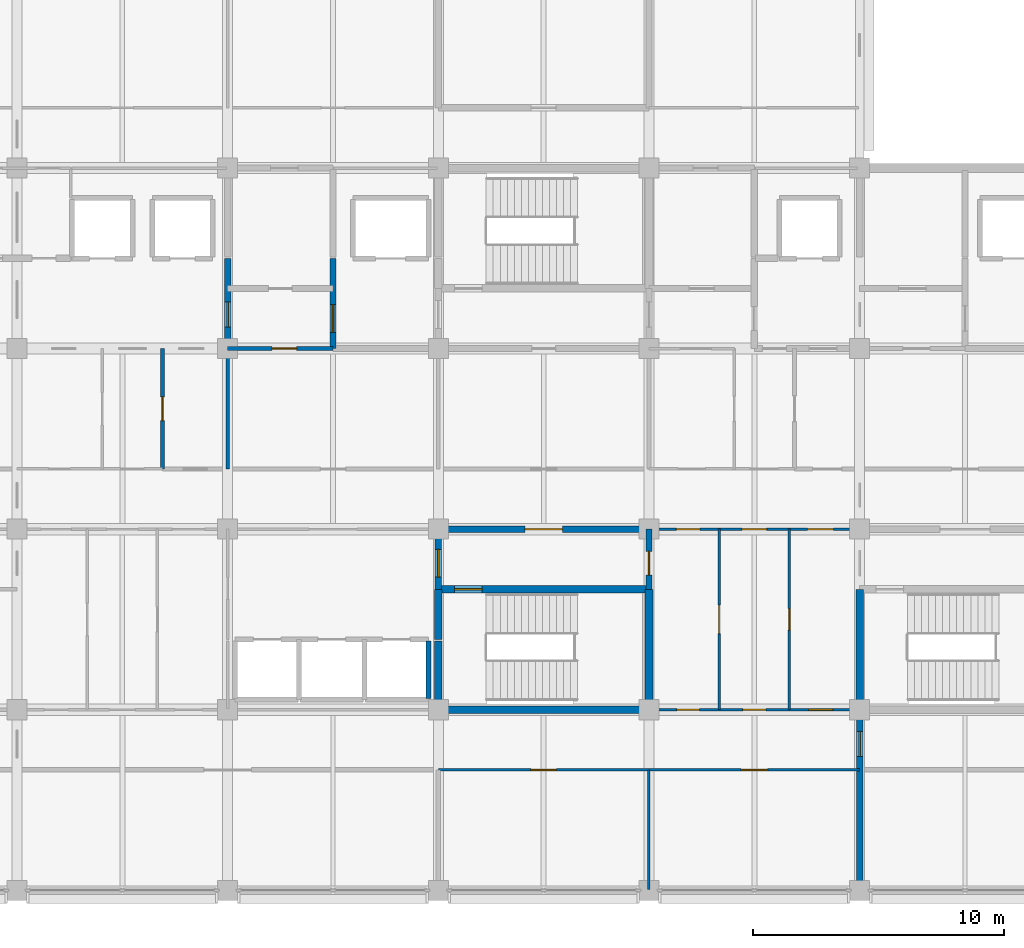
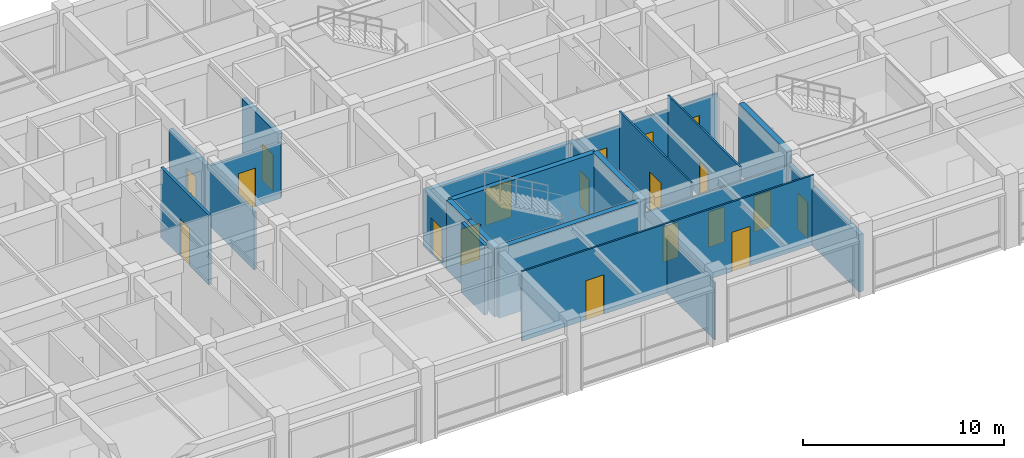
# One storey, part 22 of 30: 22 walls, 19 doors, 19 openings.
"""IFC4 building model written with IfcOpenShell, lengths in metres."""

from ifc_helpers import new_model, si_unit, direction, frame, frame_2d, origin, place, context, subcontext, project, spatial, rectangle, extrude, material, layer, layer_set, type_object, element, fill, save


model = new_model("IFC4")

# Units and contexts
model_context = context("Model", 3, precision=1e-05, world=origin(), true_north=direction((0.0, 1.0)))
body_context = subcontext(model_context, "Body", "Model", "MODEL_VIEW")
ifc_project = project(units=[si_unit("LENGTHUNIT", "METRE"), si_unit("AREAUNIT", "SQUARE_METRE"), si_unit("VOLUMEUNIT", "CUBIC_METRE"), si_unit("PLANEANGLEUNIT", "RADIAN"), si_unit("MASSUNIT", "GRAM", prefix="KILO")], contexts=[model_context])

# Site, building, storey
site_placement = place(None, origin())
site = spatial("IfcSite", under=ifc_project, at=site_placement, CompositionType="ELEMENT")
building_placement = place(site_placement, origin())
building = spatial("IfcBuilding", under=site, at=building_placement, Name="Chengyuan Square Courthouse", CompositionType="ELEMENT")
storey_placement = place(building_placement, frame((0.0, 0.0, 30.60009765625)))
storey = spatial("IfcBuildingStorey", under=building, at=storey_placement, Name="L07", CompositionType="ELEMENT", Elevation=30.60009765625)

# Wall, opening, door
ifc_material_1 = material(Name="Concrete C40", Category="concrete")
ifc_layer_1 = layer(ifc_material_1, 0.25)
ifc_layer_set_1 = layer_set([ifc_layer_1], Name="Concrete C40")
wall_type_1 = type_object("IfcWallType", Name="WL-FW1", PredefinedType="STANDARD", material=ifc_layer_set_1)
wall_1_placement = place(storey_placement, frame((100.800048828125, 93.60009765625, 0.0), z_axis=(0.0, 0.0, 1.0), x_axis=(1.0, 0.0, 0.0)))
wall_1 = element("IfcWall", 1, at=wall_1_placement, inside=storey, type_object=wall_type_1, Name="Interior Wall WL-L07-I2653", PredefinedType="STANDARD", context=body_context, shape_type="SweptSolid", body=[
    extrude(rectangle(XDim=8.39990234375, YDim=0.25, at=frame_2d((4.199951171875, 0.0))), origin(), (0.0, 0.0, 1.0), 3.389892578125),
])
opening_1_placement = place(wall_1_placement, frame((3.449951171875, 0.0, 0.0)))
opening_1 = element("IfcOpeningElement", 2, at=opening_1_placement, cuts=wall_1, Name="Opening DR-2319", PredefinedType="OPENING", context=body_context, shape_type="SweptSolid", body=[
    extrude(rectangle(XDim=1.5, YDim=2.25, at=frame_2d((0.75, 1.125))), frame((0.0, 0.136962890625, 0.0), z_axis=(0.0, -1.0, 0.0), x_axis=(1.0, 0.0, 0.0)), (0.0, 0.0, 1.0), 0.27392578125),
])
ifc_material_2 = material(Name="Steel Q235B Glazed Fire Door", Category="steel")
door_type_1 = type_object("IfcDoorType", Name="DT-19", OperationType="DOUBLE_DOOR_SINGLE_SWING", PredefinedType="DOOR", material=ifc_material_2)
door_1_placement = place(opening_1_placement, frame((1.5, 0.0, 0.0), z_axis=(0.0, 0.0, 1.0), x_axis=(-1.0, 0.0, 0.0)))
door_1 = element("IfcDoor", 3, at=door_1_placement, inside=storey, type_object=door_type_1, Name="Interior Door DR-2319", OperationType="DOUBLE_DOOR_SINGLE_SWING", OverallHeight=2.25, OverallWidth=1.5, PredefinedType="DOOR", context=body_context, shape_type="SweptSolid", body=[
    extrude(rectangle(XDim=1.5, YDim=2.25, at=frame_2d((0.75, 1.125))), frame((0.0, 0.02490234375, 0.0), z_axis=(0.0, -1.0, 0.0), x_axis=(1.0, 0.0, 0.0)), (0.0, 0.0, 1.0), 0.050048828125),
])
fill(opening_1, door_1)

wall_2_placement = place(storey_placement, frame((92.39990234375, 100.800048828125, 0.0), z_axis=(0.0, 0.0, 1.0), x_axis=(0.0, 1.0, 0.0)))
wall_2 = element("IfcWall", 4, at=wall_2_placement, inside=storey, type_object=wall_type_1, Name="Interior Wall WL-L07-I2817", PredefinedType="STANDARD", context=body_context, shape_type="SweptSolid", body=[
    extrude(rectangle(XDim=3.599853515625, YDim=0.25, at=frame_2d((1.7998046875, 0.0))), origin(), (0.0, 0.0, 1.0), 3.489990234375),
])
opening_2_placement = place(wall_2_placement, frame((0.860107421875, 0.0, 0.0)))
opening_2 = element("IfcOpeningElement", 5, at=opening_2_placement, cuts=wall_2, Name="Opening DR-2334", PredefinedType="OPENING", context=body_context, shape_type="SweptSolid", body=[
    extrude(rectangle(XDim=1.0, YDim=2.199951171875, at=frame_2d((0.5, 1.10009765625))), frame((0.0, 0.136962890625, 0.0), z_axis=(0.0, -1.0, 0.0), x_axis=(1.0, 0.0, 0.0)), (0.0, 0.0, 1.0), 0.27392578125),
])
ifc_material_3 = material(Name="Steel Q235B Fire Door", Category="steel")
door_type_2 = type_object("IfcDoorType", Name="DT-11", OperationType="NOTDEFINED", PredefinedType="DOOR", material=ifc_material_3)
door_2_placement = place(opening_2_placement, origin())
door_2 = element("IfcDoor", 6, at=door_2_placement, inside=storey, type_object=door_type_2, Name="Interior Door DR-2334", OperationType="SINGLE_SWING_LEFT", OverallHeight=2.199951171875, OverallWidth=1.0, PredefinedType="DOOR", context=body_context, shape_type="SweptSolid", body=[
    extrude(rectangle(XDim=1.0, YDim=2.199951171875, at=frame_2d((0.5, 1.10009765625))), frame((0.0, 0.02490234375, 0.0), z_axis=(0.0, -1.0, 0.0), x_axis=(1.0, 0.0, 0.0)), (0.0, 0.0, 1.0), 0.050048828125),
])
fill(opening_2, door_2)

wall_3_placement = place(storey_placement, frame((96.60009765625, 100.800048828125, 0.0), z_axis=(0.0, 0.0, 1.0), x_axis=(0.0, 1.0, 0.0)))
wall_3 = element("IfcWall", 7, at=wall_3_placement, inside=storey, type_object=wall_type_1, Name="Interior Wall WL-L07-I2822", PredefinedType="STANDARD", context=body_context, shape_type="SweptSolid", body=[
    extrude(rectangle(XDim=3.599853515625, YDim=0.25, at=frame_2d((1.7998046875, 0.0))), origin(), (0.0, 0.0, 1.0), 3.889892578125),
])
opening_3_placement = place(wall_3_placement, frame((0.64990234375, 0.0, 0.0)))
opening_3 = element("IfcOpeningElement", 8, at=opening_3_placement, cuts=wall_3, Name="Opening DR-2333", PredefinedType="OPENING", context=body_context, shape_type="SweptSolid", body=[
    extrude(rectangle(XDim=1.10009765625, YDim=2.199951171875, at=frame_2d((0.550048828125, 1.10009765625))), frame((0.0, 0.136962890625, 0.0), z_axis=(0.0, -1.0, 0.0), x_axis=(1.0, 0.0, 0.0)), (0.0, 0.0, 1.0), 0.27392578125),
])
door_type_3 = type_object("IfcDoorType", Name="DT-10", OperationType="NOTDEFINED", PredefinedType="DOOR", material=ifc_material_3)
door_3_placement = place(opening_3_placement, origin())
door_3 = element("IfcDoor", 9, at=door_3_placement, inside=storey, type_object=door_type_3, Name="Interior Door DR-2333", OperationType="SINGLE_SWING_RIGHT", OverallHeight=2.199951171875, OverallWidth=1.10009765625, PredefinedType="DOOR", context=body_context, shape_type="SweptSolid", body=[
    extrude(rectangle(XDim=1.10009765625, YDim=2.199951171875, at=frame_2d((0.550048828125, 1.10009765625))), frame((0.0, 0.02490234375, 0.0), z_axis=(0.0, -1.0, 0.0), x_axis=(1.0, 0.0, 0.0)), (0.0, 0.0, 1.0), 0.050048828125),
])
fill(opening_3, door_3)

wall_4_placement = place(storey_placement, frame((100.800048828125, 91.199951171875, 0.0), z_axis=(0.0, 0.0, 1.0), x_axis=(0.0, 1.0, 0.0)))
wall_4 = element("IfcWall", 10, at=wall_4_placement, inside=storey, type_object=wall_type_1, Name="Interior Wall WL-L07-I2831", PredefinedType="STANDARD", context=body_context, shape_type="SweptSolid", body=[
    extrude(rectangle(XDim=2.400146484375, YDim=0.25, at=frame_2d((1.2001953125, 0.0))), origin(), (0.0, 0.0, 1.0), 3.489990234375),
])
opening_4_placement = place(wall_4_placement, frame((0.489990234375, 0.0, 0.0)))
opening_4 = element("IfcOpeningElement", 11, at=opening_4_placement, cuts=wall_4, Name="Opening DR-2318", PredefinedType="OPENING", context=body_context, shape_type="SweptSolid", body=[
    extrude(rectangle(XDim=1.10009765625, YDim=2.199951171875, at=frame_2d((0.550048828125, 1.10009765625))), frame((0.0, 0.136962890625, 0.0), z_axis=(0.0, -1.0, 0.0), x_axis=(1.0, 0.0, 0.0)), (0.0, 0.0, 1.0), 0.27392578125),
])
door_4_placement = place(opening_4_placement, origin())
door_4 = element("IfcDoor", 12, at=door_4_placement, inside=storey, type_object=door_type_3, Name="Interior Door DR-2318", OperationType="SINGLE_SWING_RIGHT", OverallHeight=2.199951171875, OverallWidth=1.10009765625, PredefinedType="DOOR", context=body_context, shape_type="SweptSolid", body=[
    extrude(rectangle(XDim=1.10009765625, YDim=2.199951171875, at=frame_2d((0.550048828125, 1.10009765625))), frame((0.0, 0.02490234375, 0.0), z_axis=(0.0, -1.0, 0.0), x_axis=(1.0, 0.0, 0.0)), (0.0, 0.0, 1.0), 0.050048828125),
])
fill(opening_4, door_4)

wall_5_placement = place(storey_placement, frame((109.199951171875, 91.199951171875, 0.0), z_axis=(0.0, 0.0, 1.0), x_axis=(0.0, 1.0, 0.0)))
wall_5 = element("IfcWall", 13, at=wall_5_placement, inside=storey, type_object=wall_type_1, Name="Interior Wall WL-L07-I2839", PredefinedType="STANDARD", context=body_context, shape_type="SweptSolid", body=[
    extrude(rectangle(XDim=2.400146484375, YDim=0.25, at=frame_2d((1.2001953125, 0.0))), origin(), (0.0, 0.0, 1.0), 3.489990234375),
])
opening_5_placement = place(wall_5_placement, frame((0.56494140625, 0.0, 0.0)))
opening_5 = element("IfcOpeningElement", 14, at=opening_5_placement, cuts=wall_5, Name="Opening DR-2320", PredefinedType="OPENING", context=body_context, shape_type="SweptSolid", body=[
    extrude(rectangle(XDim=0.949951171875, YDim=2.14990234375, at=frame_2d((0.47509765625, 1.074951171875))), frame((0.0, 0.136962890625, 0.0), z_axis=(0.0, -1.0, 0.0), x_axis=(1.0, 0.0, 0.0)), (0.0, 0.0, 1.0), 0.27392578125),
])
door_type_4 = type_object("IfcDoorType", Name="DT-12", OperationType="NOTDEFINED", PredefinedType="DOOR", material=ifc_material_3)
door_5_placement = place(opening_5_placement, origin())
door_5 = element("IfcDoor", 15, at=door_5_placement, inside=storey, type_object=door_type_4, Name="Interior Door DR-2320", OperationType="SINGLE_SWING_LEFT", OverallHeight=2.14990234375, OverallWidth=0.949951171875, PredefinedType="DOOR", context=body_context, shape_type="SweptSolid", body=[
    extrude(rectangle(XDim=0.949951171875, YDim=2.14990234375, at=frame_2d((0.47509765625, 1.074951171875))), frame((0.0, 0.02490234375, 0.0), z_axis=(0.0, -1.0, 0.0), x_axis=(1.0, 0.0, 0.0)), (0.0, 0.0, 1.0), 0.050048828125),
])
fill(opening_5, door_5)

wall_6_placement = place(storey_placement, frame((117.60009765625, 79.239990234375, 0.0), z_axis=(0.0, 0.0, 1.0), x_axis=(0.0, 1.0, 0.0)))
wall_6 = element("IfcWall", 16, at=wall_6_placement, inside=storey, type_object=wall_type_1, Name="Interior Wall WL-L07-I2852", PredefinedType="STANDARD", context=body_context, shape_type="SweptSolid", body=[
    extrude(rectangle(XDim=7.159912109375, YDim=0.25, at=frame_2d((3.580078125, 0.0))), origin(), (0.0, 0.0, 1.0), 3.489990234375),
])
opening_6_placement = place(wall_6_placement, frame((5.300048828125, 0.0, 0.0)))
opening_6 = element("IfcOpeningElement", 17, at=opening_6_placement, cuts=wall_6, Name="Opening DR-2487", PredefinedType="OPENING", context=body_context, shape_type="SweptSolid", body=[
    extrude(rectangle(XDim=1.0, YDim=2.199951171875, at=frame_2d((0.5, 1.10009765625))), frame((0.0, 0.136962890625, 0.0), z_axis=(0.0, -1.0, 0.0), x_axis=(1.0, 0.0, 0.0)), (0.0, 0.0, 1.0), 0.27392578125),
])
door_6_placement = place(opening_6_placement, origin())
door_6 = element("IfcDoor", 18, at=door_6_placement, inside=storey, type_object=door_type_2, Name="Interior Door DR-2487", OperationType="SINGLE_SWING_RIGHT", OverallHeight=2.199951171875, OverallWidth=1.0, PredefinedType="DOOR", context=body_context, shape_type="SweptSolid", body=[
    extrude(rectangle(XDim=1.0, YDim=2.199951171875, at=frame_2d((0.5, 1.10009765625))), frame((0.0, 0.02490234375, 0.0), z_axis=(0.0, -1.0, 0.0), x_axis=(1.0, 0.0, 0.0)), (0.0, 0.0, 1.0), 0.050048828125),
])
fill(opening_6, door_6)

ifc_material_4 = material(Name="Deliberation Room Sound-Insulated Partition")
ifc_layer_2 = layer(ifc_material_4, 0.14990234375)
ifc_layer_set_2 = layer_set([ifc_layer_2], Name="Deliberation Room Sound-Insulated Partition")
wall_type_2 = type_object("IfcWallType", Name="WL-PT3", PredefinedType="STANDARD", material=ifc_layer_set_2)
wall_7_placement = place(storey_placement, frame((92.39990234375, 100.800048828125, 0.0), z_axis=(0.0, 0.0, 1.0), x_axis=(1.0, 0.0, 0.0)))
wall_7 = element("IfcWall", 19, at=wall_7_placement, inside=storey, type_object=wall_type_2, Name="Interior Wall WL-L07-I2677", PredefinedType="STANDARD", context=body_context, shape_type="SweptSolid", body=[
    extrude(rectangle(XDim=4.2001953125, YDim=0.14990234375, at=frame_2d((2.10009765625, 0.0))), origin(), (0.0, 0.0, 1.0), 3.389892578125),
])
opening_7_placement = place(wall_7_placement, frame((1.77001953125, 0.0, 0.0)))
opening_7 = element("IfcOpeningElement", 20, at=opening_7_placement, cuts=wall_7, Name="Opening DR-2335", PredefinedType="OPENING", context=body_context, shape_type="SweptSolid", body=[
    extrude(rectangle(XDim=0.97998046875, YDim=2.35009765625, at=frame_2d((0.489990234375, 1.175048828125))), frame((0.0, 0.0869140625, 0.0), z_axis=(0.0, -1.0, 0.0), x_axis=(1.0, 0.0, 0.0)), (0.0, 0.0, 1.0), 0.173828125),
])
ifc_material_5 = material(Name="Acoustic Solid-Core Timber Door", Category="wood")
door_type_5 = type_object("IfcDoorType", Name="DT-40", OperationType="NOTDEFINED", PredefinedType="DOOR", material=ifc_material_5)
door_7_placement = place(opening_7_placement, origin())
door_7 = element("IfcDoor", 21, at=door_7_placement, inside=storey, type_object=door_type_5, Name="Interior Door DR-2335", OperationType="SINGLE_SWING_RIGHT", OverallHeight=2.35009765625, OverallWidth=0.97998046875, PredefinedType="DOOR", context=body_context, shape_type="SweptSolid", body=[
    extrude(rectangle(XDim=0.97998046875, YDim=2.35009765625, at=frame_2d((0.489990234375, 1.175048828125))), frame((0.0, 0.02490234375, 0.0), z_axis=(0.0, -1.0, 0.0), x_axis=(1.0, 0.0, 0.0)), (0.0, 0.0, 1.0), 0.050048828125),
])
fill(opening_7, door_7)

wall_8_placement = place(storey_placement, frame((89.800048828125, 96.0, 0.0), z_axis=(0.0, 0.0, 1.0), x_axis=(0.0, 1.0, 0.0)))
wall_8 = element("IfcWall", 22, at=wall_8_placement, inside=storey, type_object=wall_type_2, Name="Interior Wall WL-L07-I2812", PredefinedType="STANDARD", context=body_context, shape_type="SweptSolid", body=[
    extrude(rectangle(XDim=4.800048828125, YDim=0.14990234375, at=frame_2d((2.39990234375, 0.0))), origin(), (0.0, 0.0, 1.0), 4.239990234375),
])
opening_8_placement = place(wall_8_placement, frame((1.929931640625, 0.0, 0.0)))
opening_8 = element("IfcOpeningElement", 23, at=opening_8_placement, cuts=wall_8, Name="Opening DR-2436", PredefinedType="OPENING", context=body_context, shape_type="SweptSolid", body=[
    extrude(rectangle(XDim=0.93994140625, YDim=2.300048828125, at=frame_2d((0.469970703125, 1.14990234375))), frame((0.0, 0.0869140625, 0.0), z_axis=(0.0, -1.0, 0.0), x_axis=(1.0, 0.0, 0.0)), (0.0, 0.0, 1.0), 0.173828125),
])
door_type_6 = type_object("IfcDoorType", Name="DT-39", OperationType="NOTDEFINED", PredefinedType="DOOR", material=ifc_material_5)
door_8_placement = place(opening_8_placement, origin())
door_8 = element("IfcDoor", 24, at=door_8_placement, inside=storey, type_object=door_type_6, Name="Interior Door DR-2436", OperationType="SINGLE_SWING_LEFT", OverallHeight=2.300048828125, OverallWidth=0.93994140625, PredefinedType="DOOR", context=body_context, shape_type="SweptSolid", body=[
    extrude(rectangle(XDim=0.93994140625, YDim=2.300048828125, at=frame_2d((0.469970703125, 1.14990234375))), frame((0.0, 0.02490234375, 0.0), z_axis=(0.0, -1.0, 0.0), x_axis=(1.0, 0.0, 0.0)), (0.0, 0.0, 1.0), 0.050048828125),
])
fill(opening_8, door_8)

# Wall
wall_9_placement = place(storey_placement, frame((92.39990234375, 96.0, 0.0), z_axis=(0.0, 0.0, 1.0), x_axis=(0.0, 1.0, 0.0)))
element("IfcWall", 25, at=wall_9_placement, inside=storey, type_object=wall_type_2, Name="Interior Wall WL-L07-I2816", PredefinedType="STANDARD", context=body_context, shape_type="SweptSolid", body=[
    extrude(rectangle(XDim=4.800048828125, YDim=0.14990234375, at=frame_2d((2.39990234375, 0.0))), origin(), (0.0, 0.0, 1.0), 3.489990234375),
])

# Wall, openings, doors
ifc_material_6 = material(Name="Gypsum Plasterboard Acoustic Stud Partition")
ifc_layer_3 = layer(ifc_material_6, 0.10009765625)
ifc_layer_set_3 = layer_set([ifc_layer_3], Name="Gypsum Plasterboard Acoustic Stud Partition")
wall_type_3 = type_object("IfcWallType", Name="WL-PT6", PredefinedType="STANDARD", material=ifc_layer_set_3)
wall_10_placement = place(storey_placement, frame((100.800048828125, 84.0, 0.0), z_axis=(0.0, 0.0, 1.0), x_axis=(1.0, 0.0, 0.0)))
wall_10 = element("IfcWall", 26, at=wall_10_placement, inside=storey, type_object=wall_type_3, Name="Interior Wall WL-L07-I2620", PredefinedType="STANDARD", context=body_context, shape_type="SweptSolid", body=[
    extrude(rectangle(XDim=16.800048828125, YDim=0.10009765625, at=frame_2d((8.39990234375, 0.0))), origin(), (0.0, 0.0, 1.0), 4.239990234375),
])
opening_9_placement = place(wall_10_placement, frame((3.68994140625, 0.0, 0.0)))
opening_9 = element("IfcOpeningElement", 27, at=opening_9_placement, cuts=wall_10, Name="Opening DR-2489", PredefinedType="OPENING", context=body_context, shape_type="SweptSolid", body=[
    extrude(rectangle(XDim=1.02001953125, YDim=2.39990234375, at=frame_2d((0.510009765625, 1.199951171875))), frame((0.0, 0.06201171875, 0.0), z_axis=(0.0, -1.0, 0.0), x_axis=(1.0, 0.0, 0.0)), (0.0, 0.0, 1.0), 0.1240234375),
])
opening_10_placement = place(wall_10_placement, frame((12.070068359375, 0.0, 0.0)))
opening_10 = element("IfcOpeningElement", 28, at=opening_10_placement, cuts=wall_10, Name="Opening DR-2490", PredefinedType="OPENING", context=body_context, shape_type="SweptSolid", body=[
    extrude(rectangle(XDim=1.06005859375, YDim=2.39990234375, at=frame_2d((0.530029296875, 1.199951171875))), frame((0.0, 0.06201171875, 0.0), z_axis=(0.0, -1.0, 0.0), x_axis=(1.0, 0.0, 0.0)), (0.0, 0.0, 1.0), 0.1240234375),
])
door_type_7 = type_object("IfcDoorType", Name="DT-41", OperationType="NOTDEFINED", PredefinedType="DOOR", material=ifc_material_5)
door_9_placement = place(opening_9_placement, origin())
door_9 = element("IfcDoor", 29, at=door_9_placement, inside=storey, type_object=door_type_7, Name="Interior Door DR-2489", OperationType="SINGLE_SWING_LEFT", OverallHeight=2.39990234375, OverallWidth=1.02001953125, PredefinedType="DOOR", context=body_context, shape_type="SweptSolid", body=[
    extrude(rectangle(XDim=1.02001953125, YDim=2.39990234375, at=frame_2d((0.510009765625, 1.199951171875))), frame((0.0, 0.02490234375, 0.0), z_axis=(0.0, -1.0, 0.0), x_axis=(1.0, 0.0, 0.0)), (0.0, 0.0, 1.0), 0.050048828125),
])
fill(opening_9, door_9)
door_type_8 = type_object("IfcDoorType", Name="DT-42", OperationType="NOTDEFINED", PredefinedType="DOOR", material=ifc_material_5)
door_10_placement = place(opening_10_placement, origin())
door_10 = element("IfcDoor", 30, at=door_10_placement, inside=storey, type_object=door_type_8, Name="Interior Door DR-2490", OperationType="SINGLE_SWING_RIGHT", OverallHeight=2.39990234375, OverallWidth=1.06005859375, PredefinedType="DOOR", context=body_context, shape_type="SweptSolid", body=[
    extrude(rectangle(XDim=1.06005859375, YDim=2.39990234375, at=frame_2d((0.530029296875, 1.199951171875))), frame((0.0, 0.02490234375, 0.0), z_axis=(0.0, -1.0, 0.0), x_axis=(1.0, 0.0, 0.0)), (0.0, 0.0, 1.0), 0.050048828125),
])
fill(opening_10, door_10)

wall_11_placement = place(storey_placement, frame((109.199951171875, 86.39990234375, 0.0), z_axis=(0.0, 0.0, 1.0), x_axis=(1.0, 0.0, 0.0)))
wall_11 = element("IfcWall", 31, at=wall_11_placement, inside=storey, type_object=wall_type_3, Name="Interior Wall WL-L07-I2632", PredefinedType="STANDARD", context=body_context, shape_type="SweptSolid", body=[
    extrude(rectangle(XDim=8.400146484375, YDim=0.10009765625, at=frame_2d((4.2001953125, 0.0))), origin(), (0.0, 0.0, 1.0), 3.389892578125),
])
opening_11_placement = place(wall_11_placement, frame((1.110107421875, 0.0, 0.0)))
opening_11 = element("IfcOpeningElement", 32, at=opening_11_placement, cuts=wall_11, Name="Opening DR-2458", PredefinedType="OPENING", context=body_context, shape_type="SweptSolid", body=[
    extrude(rectangle(XDim=0.89990234375, YDim=2.14990234375, at=frame_2d((0.449951171875, 1.074951171875))), frame((0.0, 0.06201171875, 0.0), z_axis=(0.0, -1.0, 0.0), x_axis=(1.0, 0.0, 0.0)), (0.0, 0.0, 1.0), 0.1240234375),
])
opening_12_placement = place(wall_11_placement, frame((3.739990234375, 0.0, 0.0)))
opening_12 = element("IfcOpeningElement", 33, at=opening_12_placement, cuts=wall_11, Name="Opening DR-2460", PredefinedType="OPENING", context=body_context, shape_type="SweptSolid", body=[
    extrude(rectangle(XDim=0.919921875, YDim=2.14990234375, at=frame_2d((0.4599609375, 1.074951171875))), frame((0.0, 0.06201171875, 0.0), z_axis=(0.0, -1.0, 0.0), x_axis=(1.0, 0.0, 0.0)), (0.0, 0.0, 1.0), 0.1240234375),
])
opening_13_placement = place(wall_11_placement, frame((6.360107421875, 0.0, 0.0)))
opening_13 = element("IfcOpeningElement", 34, at=opening_13_placement, cuts=wall_11, Name="Opening DR-2461", PredefinedType="OPENING", context=body_context, shape_type="SweptSolid", body=[
    extrude(rectangle(XDim=0.9599609375, YDim=2.199951171875, at=frame_2d((0.47998046875, 1.10009765625))), frame((0.0, 0.06201171875, 0.0), z_axis=(0.0, -1.0, 0.0), x_axis=(1.0, 0.0, 0.0)), (0.0, 0.0, 1.0), 0.1240234375),
])
door_type_9 = type_object("IfcDoorType", Name="DT-27", OperationType="NOTDEFINED", PredefinedType="DOOR", material=ifc_material_5)
door_11_placement = place(opening_11_placement, origin())
door_11 = element("IfcDoor", 35, at=door_11_placement, inside=storey, type_object=door_type_9, Name="Interior Door DR-2458", OperationType="SINGLE_SWING_RIGHT", OverallHeight=2.14990234375, OverallWidth=0.89990234375, PredefinedType="DOOR", context=body_context, shape_type="SweptSolid", body=[
    extrude(rectangle(XDim=0.89990234375, YDim=2.14990234375, at=frame_2d((0.449951171875, 1.074951171875))), frame((0.0, 0.02490234375, 0.0), z_axis=(0.0, -1.0, 0.0), x_axis=(1.0, 0.0, 0.0)), (0.0, 0.0, 1.0), 0.050048828125),
])
fill(opening_11, door_11)
door_type_10 = type_object("IfcDoorType", Name="DT-29", OperationType="NOTDEFINED", PredefinedType="DOOR", material=ifc_material_5)
door_12_placement = place(opening_12_placement, origin())
door_12 = element("IfcDoor", 36, at=door_12_placement, inside=storey, type_object=door_type_10, Name="Interior Door DR-2460", OperationType="SINGLE_SWING_RIGHT", OverallHeight=2.14990234375, OverallWidth=0.919921875, PredefinedType="DOOR", context=body_context, shape_type="SweptSolid", body=[
    extrude(rectangle(XDim=0.919921875, YDim=2.14990234375, at=frame_2d((0.4599609375, 1.074951171875))), frame((0.0, 0.02490234375, 0.0), z_axis=(0.0, -1.0, 0.0), x_axis=(1.0, 0.0, 0.0)), (0.0, 0.0, 1.0), 0.050048828125),
])
fill(opening_12, door_12)
door_type_11 = type_object("IfcDoorType", Name="DT-30", OperationType="NOTDEFINED", PredefinedType="DOOR", material=ifc_material_5)
door_13_placement = place(opening_13_placement, origin())
door_13 = element("IfcDoor", 37, at=door_13_placement, inside=storey, type_object=door_type_11, Name="Interior Door DR-2461", OperationType="SINGLE_SWING_LEFT", OverallHeight=2.199951171875, OverallWidth=0.9599609375, PredefinedType="DOOR", context=body_context, shape_type="SweptSolid", body=[
    extrude(rectangle(XDim=0.9599609375, YDim=2.199951171875, at=frame_2d((0.47998046875, 1.10009765625))), frame((0.0, 0.02490234375, 0.0), z_axis=(0.0, -1.0, 0.0), x_axis=(1.0, 0.0, 0.0)), (0.0, 0.0, 1.0), 0.050048828125),
])
fill(opening_13, door_13)

wall_12_placement = place(storey_placement, frame((109.199951171875, 93.60009765625, 0.0), z_axis=(0.0, 0.0, 1.0), x_axis=(1.0, 0.0, 0.0)))
wall_12 = element("IfcWall", 38, at=wall_12_placement, inside=storey, type_object=wall_type_3, Name="Interior Wall WL-L07-I2654", PredefinedType="STANDARD", context=body_context, shape_type="SweptSolid", body=[
    extrude(rectangle(XDim=8.400146484375, YDim=0.10009765625, at=frame_2d((4.2001953125, 0.0))), origin(), (0.0, 0.0, 1.0), 3.389892578125),
])
opening_14_placement = place(wall_12_placement, frame((1.090087890625, 0.0, 0.0)))
opening_14 = element("IfcOpeningElement", 39, at=opening_14_placement, cuts=wall_12, Name="Opening DR-2419", PredefinedType="OPENING", context=body_context, shape_type="SweptSolid", body=[
    extrude(rectangle(XDim=0.93994140625, YDim=2.300048828125, at=frame_2d((0.469970703125, 1.14990234375))), frame((0.0, 0.06201171875, 0.0), z_axis=(0.0, -1.0, 0.0), x_axis=(1.0, 0.0, 0.0)), (0.0, 0.0, 1.0), 0.1240234375),
])
opening_15_placement = place(wall_12_placement, frame((3.7099609375, 0.0, 0.0)))
opening_15 = element("IfcOpeningElement", 40, at=opening_15_placement, cuts=wall_12, Name="Opening DR-2420", PredefinedType="OPENING", context=body_context, shape_type="SweptSolid", body=[
    extrude(rectangle(XDim=0.97998046875, YDim=2.35009765625, at=frame_2d((0.489990234375, 1.175048828125))), frame((0.0, 0.06201171875, 0.0), z_axis=(0.0, -1.0, 0.0), x_axis=(1.0, 0.0, 0.0)), (0.0, 0.0, 1.0), 0.1240234375),
])
opening_16_placement = place(wall_12_placement, frame((6.330078125, 0.0, 0.0)))
opening_16 = element("IfcOpeningElement", 41, at=opening_16_placement, cuts=wall_12, Name="Opening DR-2421", PredefinedType="OPENING", context=body_context, shape_type="SweptSolid", body=[
    extrude(rectangle(XDim=1.02001953125, YDim=2.39990234375, at=frame_2d((0.510009765625, 1.199951171875))), frame((0.0, 0.06201171875, 0.0), z_axis=(0.0, -1.0, 0.0), x_axis=(1.0, 0.0, 0.0)), (0.0, 0.0, 1.0), 0.1240234375),
])
door_14_placement = place(opening_14_placement, origin())
door_14 = element("IfcDoor", 42, at=door_14_placement, inside=storey, type_object=door_type_6, Name="Interior Door DR-2419", OperationType="SINGLE_SWING_LEFT", OverallHeight=2.300048828125, OverallWidth=0.93994140625, PredefinedType="DOOR", context=body_context, shape_type="SweptSolid", body=[
    extrude(rectangle(XDim=0.93994140625, YDim=2.300048828125, at=frame_2d((0.469970703125, 1.14990234375))), frame((0.0, 0.02490234375, 0.0), z_axis=(0.0, -1.0, 0.0), x_axis=(1.0, 0.0, 0.0)), (0.0, 0.0, 1.0), 0.050048828125),
])
fill(opening_14, door_14)
door_15_placement = place(opening_15_placement, origin())
door_15 = element("IfcDoor", 43, at=door_15_placement, inside=storey, type_object=door_type_5, Name="Interior Door DR-2420", OperationType="SINGLE_SWING_RIGHT", OverallHeight=2.35009765625, OverallWidth=0.97998046875, PredefinedType="DOOR", context=body_context, shape_type="SweptSolid", body=[
    extrude(rectangle(XDim=0.97998046875, YDim=2.35009765625, at=frame_2d((0.489990234375, 1.175048828125))), frame((0.0, 0.02490234375, 0.0), z_axis=(0.0, -1.0, 0.0), x_axis=(1.0, 0.0, 0.0)), (0.0, 0.0, 1.0), 0.050048828125),
])
fill(opening_15, door_15)
door_16_placement = place(opening_16_placement, origin())
door_16 = element("IfcDoor", 44, at=door_16_placement, inside=storey, type_object=door_type_7, Name="Interior Door DR-2421", OperationType="SINGLE_SWING_LEFT", OverallHeight=2.39990234375, OverallWidth=1.02001953125, PredefinedType="DOOR", context=body_context, shape_type="SweptSolid", body=[
    extrude(rectangle(XDim=1.02001953125, YDim=2.39990234375, at=frame_2d((0.510009765625, 1.199951171875))), frame((0.0, 0.02490234375, 0.0), z_axis=(0.0, -1.0, 0.0), x_axis=(1.0, 0.0, 0.0)), (0.0, 0.0, 1.0), 0.050048828125),
])
fill(opening_16, door_16)

# Wall
wall_13_placement = place(storey_placement, frame((109.199951171875, 79.239990234375, 0.0), z_axis=(0.0, 0.0, 1.0), x_axis=(0.0, 1.0, 0.0)))
element("IfcWall", 45, at=wall_13_placement, inside=storey, type_object=wall_type_3, Name="Interior Wall WL-L07-I2837", PredefinedType="STANDARD", context=body_context, shape_type="SweptSolid", body=[
    extrude(rectangle(XDim=4.760009765625, YDim=0.10009765625, at=frame_2d((2.3798828125, 0.0))), origin(), (0.0, 0.0, 1.0), 3.489990234375),
])

# Wall, opening, door
wall_14_placement = place(storey_placement, frame((112.0, 86.39990234375, 0.0), z_axis=(0.0, 0.0, 1.0), x_axis=(0.0, 1.0, 0.0)))
wall_14 = element("IfcWall", 46, at=wall_14_placement, inside=storey, type_object=wall_type_3, Name="Interior Wall WL-L07-I2844", PredefinedType="STANDARD", context=body_context, shape_type="SweptSolid", body=[
    extrude(rectangle(XDim=7.2001953125, YDim=0.10009765625, at=frame_2d((3.60009765625, 0.0))), origin(), (0.0, 0.0, 1.0), 4.239990234375),
])
opening_17_placement = place(wall_14_placement, frame((3.030029296875, 0.0, 0.0)))
opening_17 = element("IfcOpeningElement", 47, at=opening_17_placement, cuts=wall_14, Name="Opening DR-2457", PredefinedType="OPENING", context=body_context, shape_type="SweptSolid", body=[
    extrude(rectangle(XDim=1.139892578125, YDim=2.39990234375, at=frame_2d((0.56982421875, 1.199951171875))), frame((0.0, 0.06201171875, 0.0), z_axis=(0.0, -1.0, 0.0), x_axis=(1.0, 0.0, 0.0)), (0.0, 0.0, 1.0), 0.1240234375),
])
door_type_12 = type_object("IfcDoorType", Name="DT-43", OperationType="NOTDEFINED", PredefinedType="DOOR", material=ifc_material_5)
door_17_placement = place(opening_17_placement, origin())
door_17 = element("IfcDoor", 48, at=door_17_placement, inside=storey, type_object=door_type_12, Name="Interior Door DR-2457", OperationType="SINGLE_SWING_LEFT", OverallHeight=2.39990234375, OverallWidth=1.139892578125, PredefinedType="DOOR", context=body_context, shape_type="SweptSolid", body=[
    extrude(rectangle(XDim=1.139892578125, YDim=2.39990234375, at=frame_2d((0.56982421875, 1.199951171875))), frame((0.0, 0.02490234375, 0.0), z_axis=(0.0, -1.0, 0.0), x_axis=(1.0, 0.0, 0.0)), (0.0, 0.0, 1.0), 0.050048828125),
])
fill(opening_17, door_17)

wall_15_placement = place(storey_placement, frame((114.800048828125, 86.39990234375, 0.0), z_axis=(0.0, 0.0, 1.0), x_axis=(0.0, 1.0, 0.0)))
wall_15 = element("IfcWall", 49, at=wall_15_placement, inside=storey, type_object=wall_type_3, Name="Interior Wall WL-L07-I2849", PredefinedType="STANDARD", context=body_context, shape_type="SweptSolid", body=[
    extrude(rectangle(XDim=7.2001953125, YDim=0.10009765625, at=frame_2d((3.60009765625, 0.0))), origin(), (0.0, 0.0, 1.0), 4.239990234375),
])
opening_18_placement = place(wall_15_placement, frame((3.169921875, 0.0, 0.0)))
opening_18 = element("IfcOpeningElement", 50, at=opening_18_placement, cuts=wall_15, Name="Opening DR-2459", PredefinedType="OPENING", context=body_context, shape_type="SweptSolid", body=[
    extrude(rectangle(XDim=0.860107421875, YDim=2.10009765625, at=frame_2d((0.43017578125, 1.050048828125))), frame((0.0, 0.06201171875, 0.0), z_axis=(0.0, -1.0, 0.0), x_axis=(1.0, 0.0, 0.0)), (0.0, 0.0, 1.0), 0.1240234375),
])
door_type_13 = type_object("IfcDoorType", Name="DT-28", OperationType="NOTDEFINED", PredefinedType="DOOR", material=ifc_material_5)
door_18_placement = place(opening_18_placement, origin())
door_18 = element("IfcDoor", 51, at=door_18_placement, inside=storey, type_object=door_type_13, Name="Interior Door DR-2459", OperationType="SINGLE_SWING_LEFT", OverallHeight=2.10009765625, OverallWidth=0.860107421875, PredefinedType="DOOR", context=body_context, shape_type="SweptSolid", body=[
    extrude(rectangle(XDim=0.860107421875, YDim=2.10009765625, at=frame_2d((0.43017578125, 1.050048828125))), frame((0.0, 0.02490234375, 0.0), z_axis=(0.0, -1.0, 0.0), x_axis=(1.0, 0.0, 0.0)), (0.0, 0.0, 1.0), 0.050048828125),
])
fill(opening_18, door_18)

# Walls
ifc_material_7 = material(Name="Reinforced Masonry Shaft Enclosure", Category="masonry")
ifc_layer_4 = layer(ifc_material_7, 0.199951171875)
ifc_layer_set_4 = layer_set([ifc_layer_4], Name="Reinforced Masonry Shaft Enclosure")
wall_type_4 = type_object("IfcWallType", Name="WL-SH1", PredefinedType="STANDARD", material=ifc_layer_set_4)
wall_16_placement = place(storey_placement, frame((100.39990234375, 86.85009765625, 0.0), z_axis=(0.0, 0.0, 1.0), x_axis=(0.0, 1.0, 0.0)))
element("IfcWall", 52, at=wall_16_placement, inside=storey, type_object=wall_type_4, Name="Interior Wall WL-L07-I2826", PredefinedType="STANDARD", context=body_context, shape_type="SweptSolid", body=[
    extrude(rectangle(XDim=2.2998046875, YDim=0.199951171875, at=frame_2d((1.14990234375, 0.0))), origin(), (0.0, 0.0, 1.0), 4.239990234375),
])
ifc_layer_5 = layer(ifc_material_1, 0.300048828125)
ifc_layer_set_5 = layer_set([ifc_layer_5], Name="Concrete C40")
wall_type_5 = type_object("IfcWallType", Name="WL-SW2", PredefinedType="SHEAR", material=ifc_layer_set_5)
wall_17_placement = place(storey_placement, frame((100.800048828125, 86.39990234375, 0.0), z_axis=(0.0, 0.0, 1.0), x_axis=(1.0, 0.0, 0.0)))
element("IfcWall", 53, at=wall_17_placement, inside=storey, type_object=wall_type_5, Name="Interior Wall WL-L07-I2631", PredefinedType="SHEAR", context=body_context, shape_type="SweptSolid", body=[
    extrude(rectangle(XDim=8.39990234375, YDim=0.300048828125, at=frame_2d((4.199951171875, 0.0))), origin(), (0.0, 0.0, 1.0), 4.239990234375),
])

# Wall, opening, door
wall_18_placement = place(storey_placement, frame((100.800048828125, 91.199951171875, 0.0), z_axis=(0.0, 0.0, 1.0), x_axis=(1.0, 0.0, 0.0)))
wall_18 = element("IfcWall", 54, at=wall_18_placement, inside=storey, type_object=wall_type_5, Name="Interior Wall WL-L07-I2646", PredefinedType="SHEAR", context=body_context, shape_type="SweptSolid", body=[
    extrude(rectangle(XDim=8.39990234375, YDim=0.300048828125, at=frame_2d((4.199951171875, 0.0))), origin(), (0.0, 0.0, 1.0), 4.239990234375),
])
opening_19_placement = place(wall_18_placement, frame((0.64990234375, 0.0, 0.0)))
opening_19 = element("IfcOpeningElement", 55, at=opening_19_placement, cuts=wall_18, Name="Opening DR-2306", PredefinedType="OPENING", context=body_context, shape_type="SweptSolid", body=[
    extrude(rectangle(XDim=1.10009765625, YDim=2.199951171875, at=frame_2d((0.550048828125, 1.10009765625))), frame((0.0, 0.162109375, 0.0), z_axis=(0.0, -1.0, 0.0), x_axis=(1.0, 0.0, 0.0)), (0.0, 0.0, 1.0), 0.323974609375),
])
door_19_placement = place(opening_19_placement, frame((1.10009765625, 0.0, 0.0), z_axis=(0.0, 0.0, 1.0), x_axis=(-1.0, 0.0, 0.0)))
door_19 = element("IfcDoor", 56, at=door_19_placement, inside=storey, type_object=door_type_3, Name="Smoke-Proof Stairwell Fire Door ST-4 DR-2306", OperationType="SINGLE_SWING_LEFT", OverallHeight=2.199951171875, OverallWidth=1.10009765625, PredefinedType="DOOR", context=body_context, shape_type="SweptSolid", body=[
    extrude(rectangle(XDim=1.10009765625, YDim=2.199951171875, at=frame_2d((0.550048828125, 1.10009765625))), frame((0.0, 0.02490234375, 0.0), z_axis=(0.0, -1.0, 0.0), x_axis=(1.0, 0.0, 0.0)), (0.0, 0.0, 1.0), 0.050048828125),
])
fill(opening_19, door_19)

# Walls
wall_19_placement = place(storey_placement, frame((100.800048828125, 86.449951171875, 0.0), z_axis=(0.0, 0.0, 1.0), x_axis=(0.0, 1.0, 0.0)))
element("IfcWall", 57, at=wall_19_placement, inside=storey, type_object=wall_type_5, Name="Interior Wall WL-L07-I2829", PredefinedType="SHEAR", context=body_context, shape_type="SweptSolid", body=[
    extrude(rectangle(XDim=2.699951171875, YDim=0.300048828125, at=frame_2d((1.35009765625, 0.0))), origin(), (0.0, 0.0, 1.0), 4.239990234375),
])
wall_20_placement = place(storey_placement, frame((100.800048828125, 89.199951171875, 0.0), z_axis=(0.0, 0.0, 1.0), x_axis=(0.0, 1.0, 0.0)))
element("IfcWall", 58, at=wall_20_placement, inside=storey, type_object=wall_type_5, Name="Interior Wall WL-L07-I2830", PredefinedType="SHEAR", context=body_context, shape_type="SweptSolid", body=[
    extrude(rectangle(XDim=2.0, YDim=0.300048828125, at=frame_2d((1.0, 0.0))), origin(), (0.0, 0.0, 1.0), 4.239990234375),
])
for number, where, z_axis, x_axis, name in (
    (59, (109.199951171875, 86.39990234375, 0.0), (0.0, 0.0, 1.0), (0.0, 1.0, 0.0), "Interior Wall WL-L07-I2838"),
    (60, (117.60009765625, 86.39990234375, 0.0), (0.0, 0.0, 1.0), (0.0, 1.0, 0.0), "Interior Wall WL-L07-I2853"),
):
    element("IfcWall", number, at=place(storey_placement, frame(where, z_axis=z_axis, x_axis=x_axis)), inside=storey, type_object=wall_type_5, Name=name, PredefinedType="SHEAR", context=body_context, shape_type="SweptSolid", body=[
        extrude(rectangle(XDim=4.800048828125, YDim=0.300048828125, at=frame_2d((2.39990234375, 0.0))), origin(), (0.0, 0.0, 1.0), 4.239990234375),
    ])

save(model, "model.ifc")
